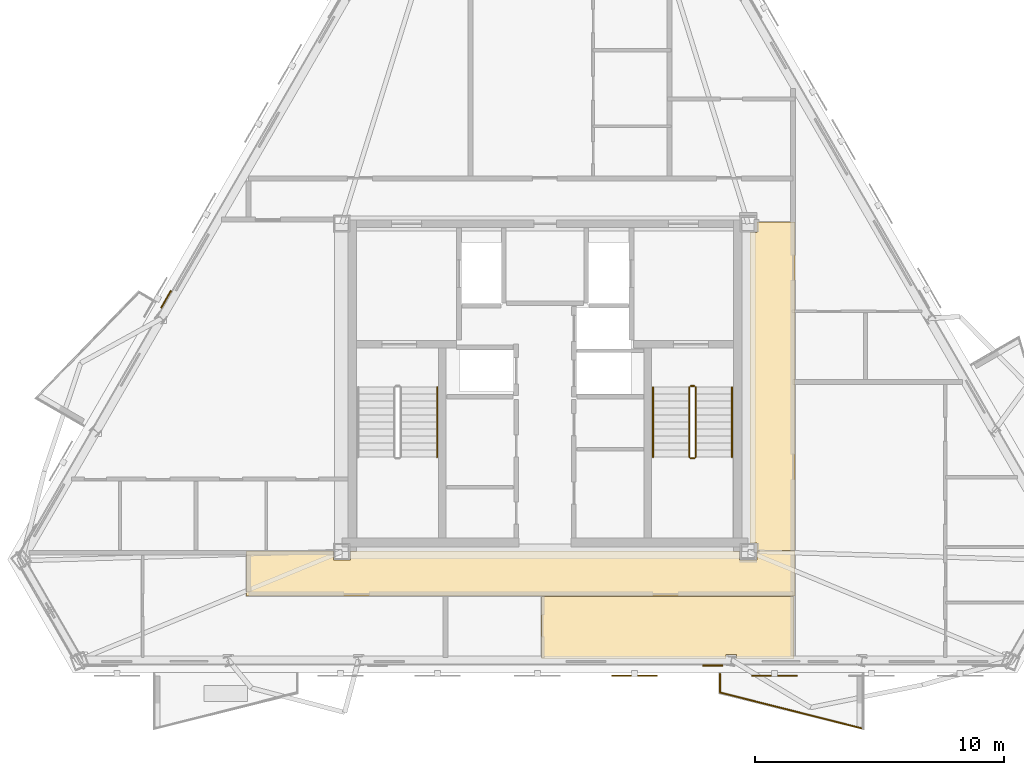
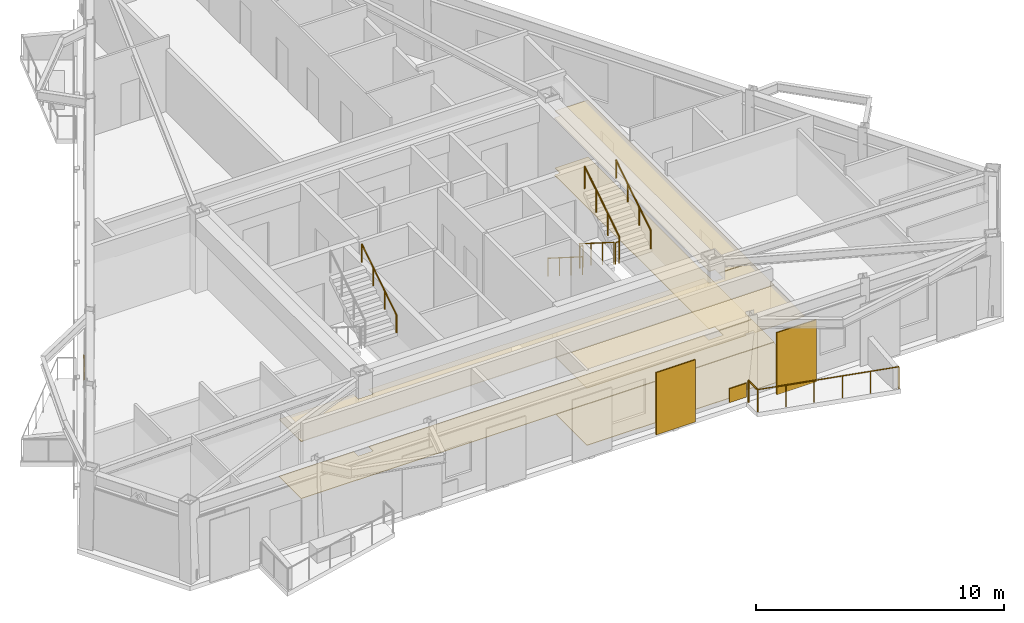
# One storey, part 8 of 9: 9 railings, 8 coverings, 2 shading devices.
"""IFC4 building model written with IfcOpenShell, lengths in metres."""

from ifc_helpers import new_model, si_unit, direction, frame, origin, origin_2d, place, context, subcontext, project, spatial, polyline, rectangle, circle, outline, extrude, material, layer, layer_set, type_object, element, save


model = new_model("IFC4")

# Units and contexts
model_context = context("Model", 3, precision=1e-05, world=origin(), true_north=direction((0.0, 1.0)))
body_context = subcontext(model_context, "Body", "Model", "MODEL_VIEW")
ifc_project = project(units=[si_unit("LENGTHUNIT", "METRE"), si_unit("AREAUNIT", "SQUARE_METRE"), si_unit("VOLUMEUNIT", "CUBIC_METRE"), si_unit("PLANEANGLEUNIT", "RADIAN"), si_unit("MASSUNIT", "GRAM", prefix="KILO")], contexts=[model_context])

# Site, building, storey
site_placement = place(None, origin())
site = spatial("IfcSite", under=ifc_project, at=site_placement, CompositionType="ELEMENT")
building_placement = place(site_placement, origin())
building = spatial("IfcBuilding", under=site, at=building_placement, Name="Oramaril Tower", CompositionType="ELEMENT")
storey_placement = place(building_placement, frame((0.0, 0.0, 273.300048828125)))
storey = spatial("IfcBuildingStorey", under=building, at=storey_placement, Name="L72", CompositionType="ELEMENT", Elevation=273.300048828125)

# Coverings
ifc_material_1 = material(Name="Mineral Fibre Acoustic Ceiling")
ifc_layer_1 = layer(ifc_material_1, 0.02001953125)
ifc_layer_set_1 = layer_set([ifc_layer_1], Name="CVT-CEIL")
covering_type_1 = type_object("IfcCoveringType", Name="CVT-CEIL", PredefinedType="CEILING", material=ifc_layer_set_1)
covering_1_placement = place(storey_placement, frame((0.0, 0.0, 2.81201171875)))
element("IfcCovering", 1, at=covering_1_placement, inside=storey, type_object=covering_type_1, Name="L72 Acoustic Suspended Ceiling 1", PredefinedType="CEILING", context=body_context, shape_type="SweptSolid", body=[
    extrude(outline(polyline([(29.0048828125, 10.655029296875), (29.695068359375, 10.655029296875), (29.695068359375, 11.030029296875), (45.304931640625, 11.030029296875), (45.304931640625, 10.655029296875), (45.9951171875, 10.655029296875), (45.9951171875, 11.030029296875), (47.530029296875, 11.030029296875), (47.530029296875, 9.219970703125), (25.52001953125, 9.219970703125), (25.52001953125, 11.030029296875), (29.0048828125, 11.030029296875), (29.0048828125, 10.655029296875)])), origin(), (0.0, 0.0, 1.0), 0.02001953125),
])
covering_2_placement = place(storey_placement, frame((0.0, 0.0, 2.81201171875)))
element("IfcCovering", 2, at=covering_2_placement, inside=storey, type_object=covering_type_1, Name="L72 Acoustic Suspended Ceiling 3", PredefinedType="CEILING", context=body_context, shape_type="SweptSolid", body=[
    extrude(outline(polyline([(47.530029296875, 11.050048828125), (45.9951171875, 11.050048828125), (45.9951171875, 11.344970703125), (45.719970703125, 11.344970703125), (45.719970703125, 23.804931640625), (45.9951171875, 23.804931640625), (45.9951171875, 24.219970703125), (47.530029296875, 24.219970703125), (47.530029296875, 11.050048828125)])), origin(), (0.0, 0.0, 1.0), 0.02001953125),
])
covering_3_placement = place(storey_placement, frame((0.0, 0.0, 2.81201171875)))
element("IfcCovering", 3, at=covering_3_placement, inside=storey, type_object=covering_type_1, Name="L72 Acoustic Suspended Ceiling 6", PredefinedType="CEILING", context=body_context, shape_type="SweptSolid", body=[
    extrude(outline(polyline([(45.184326171875, 6.859619140625), (44.76220703125, 6.859619140625), (44.76220703125, 6.7021484375), (37.364013671875, 6.7021484375), (37.364013671875, 9.199951171875), (47.491943359375, 9.199951171875), (47.491943359375, 6.7021484375), (45.184326171875, 6.7021484375), (45.184326171875, 6.859619140625)])), origin(), (0.0, 0.0, 1.0), 0.02001953125),
])
ifc_material_2 = material(Name="Warm Cream Limestone", Category="masonry")
ifc_layer_2 = layer(ifc_material_2, 0.050048828125)
ifc_layer_set_2 = layer_set([ifc_layer_2], Name="CVT-CLD")
covering_type_2 = type_object("IfcCoveringType", Name="CVT-CLD", PredefinedType="CLADDING", material=ifc_layer_set_2)
for number, where, z_axis, x_axis, name in (
    (4, (44.2216796875, 6.426025390625, 0.0400390625), (0.0, 0.0, 1.0), (1.0, 0.0, 0.0), "L72 Warm Cream Limestone Spandrel Cladding"),
    (5, (22.29736328125, 21.11572265625, 0.0400390625), (0.0, 0.0, 1.0), (-0.4999984885, -0.866026276448, 0.0), "L72 Warm Cream Limestone Spandrel Cladding"),
):
    element("IfcCovering", number, at=place(storey_placement, frame(where, z_axis=z_axis, x_axis=x_axis)), inside=storey, type_object=covering_type_2, Name=name, PredefinedType="CLADDING", context=body_context, shape_type="SweptSolid", body=[
        extrude(rectangle(XDim=0.800048828125, YDim=0.050048828125, at=origin_2d()), origin(), (0.0, 0.0, 1.0), 0.679931640625),
    ])
ifc_material_3 = material(Name="Honed Quartzite Stone Flooring", Category="masonry")
ifc_layer_3 = layer(ifc_material_3, 0.02490234375)
ifc_layer_set_3 = layer_set([ifc_layer_3], Name="CVT-FLR")
covering_type_3 = type_object("IfcCoveringType", Name="CVT-FLR", PredefinedType="FLOORING", material=ifc_layer_set_3)
covering_4_placement = place(storey_placement, origin())
element("IfcCovering", 6, at=covering_4_placement, inside=storey, type_object=covering_type_3, Name="L72 Honed Stone Floor Finish 1", PredefinedType="FLOORING", context=body_context, shape_type="SweptSolid", body=[
    extrude(outline(polyline([(29.0048828125, 10.655029296875), (29.695068359375, 10.655029296875), (29.695068359375, 11.030029296875), (45.304931640625, 11.030029296875), (45.304931640625, 10.655029296875), (45.9951171875, 10.655029296875), (45.9951171875, 11.030029296875), (47.530029296875, 11.030029296875), (47.530029296875, 9.219970703125), (25.52001953125, 9.219970703125), (25.52001953125, 11.030029296875), (29.0048828125, 11.030029296875), (29.0048828125, 10.655029296875)])), origin(), (0.0, 0.0, 1.0), 0.02490234375),
])
covering_5_placement = place(storey_placement, origin())
element("IfcCovering", 7, at=covering_5_placement, inside=storey, type_object=covering_type_3, Name="L72 Honed Stone Floor Finish 3", PredefinedType="FLOORING", context=body_context, shape_type="SweptSolid", body=[
    extrude(outline(polyline([(47.530029296875, 11.050048828125), (45.9951171875, 11.050048828125), (45.9951171875, 11.344970703125), (45.719970703125, 11.344970703125), (45.719970703125, 23.804931640625), (45.9951171875, 23.804931640625), (45.9951171875, 24.219970703125), (47.530029296875, 24.219970703125), (47.530029296875, 11.050048828125)])), origin(), (0.0, 0.0, 1.0), 0.02490234375),
])
covering_6_placement = place(storey_placement, origin())
element("IfcCovering", 8, at=covering_6_placement, inside=storey, type_object=covering_type_3, Name="L72 Honed Stone Floor Finish 6", PredefinedType="FLOORING", context=body_context, shape_type="SweptSolid", body=[
    extrude(outline(polyline([(45.184326171875, 6.859619140625), (44.76220703125, 6.859619140625), (44.76220703125, 6.7021484375), (37.364013671875, 6.7021484375), (37.364013671875, 9.199951171875), (47.491943359375, 9.199951171875), (47.491943359375, 6.7021484375), (45.184326171875, 6.7021484375), (45.184326171875, 6.859619140625)])), origin(), (0.0, 0.0, 1.0), 0.02490234375),
])

# Railings
ifc_material_4 = material(Name="Stainless Steel 316L", Category="steel")
railing_type_1 = type_object("IfcRailingType", Name="RLT-GRD", PredefinedType="GUARDRAIL", material=ifc_material_4)
railing_1_placement = place(storey_placement, frame((50.251953125, 3.89404296875, 0.0)))
element("IfcRailing", 9, at=railing_1_placement, inside=storey, type_object=railing_type_1, Name="L72 Balcony Guardrail L72-BAL-S2.2", PredefinedType="GUARDRAIL", context=body_context, shape_type="SweptSolid", body=[
    extrude(circle(Radius=0.02392578125, at=origin_2d()), frame((0.0, 0.0, 1.076171875), z_axis=(-0.969443611257, 0.245314256807, 0.0), x_axis=(-0.245314256807, -0.969443611257, 0.0)), (0.0, 0.0, 1.0), 5.91064453125),
    extrude(circle(Radius=0.02099609375, at=origin_2d()), origin(), (0.0, 0.0, 1.0), 1.052001953125),
    extrude(circle(Radius=0.02099609375, at=origin_2d()), frame((-1.14599609375, 0.2900390625, 0.0)), (0.0, 0.0, 1.0), 1.052001953125),
    extrude(circle(Radius=0.02099609375, at=origin_2d()), frame((-2.2919921875, 0.580078125, 0.0)), (0.0, 0.0, 1.0), 1.052001953125),
    extrude(circle(Radius=0.02099609375, at=origin_2d()), frame((-3.43798828125, 0.869873046875, 0.0)), (0.0, 0.0, 1.0), 1.052001953125),
    extrude(circle(Radius=0.02099609375, at=origin_2d()), frame((-4.583984375, 1.159912109375, 0.0)), (0.0, 0.0, 1.0), 1.052001953125),
    extrude(circle(Radius=0.02099609375, at=origin_2d()), frame((-5.72998046875, 1.449951171875, 0.0)), (0.0, 0.0, 1.0), 1.052001953125),
])
railing_2_placement = place(storey_placement, frame((44.52197265625, 5.343994140625, 0.0)))
element("IfcRailing", 10, at=railing_2_placement, inside=storey, type_object=railing_type_1, Name="L72 Balcony Guardrail L72-BAL-S2.3", PredefinedType="GUARDRAIL", context=body_context, shape_type="SweptSolid", body=[
    extrude(circle(Radius=0.02392578125, at=origin_2d()), frame((0.0, 0.0, 1.076171875), z_axis=(0.0, 1.0, 0.0), x_axis=(-1.0, 0.0, 0.0)), (0.0, 0.0, 1.0), 0.7421875),
    extrude(circle(Radius=0.02099609375, at=origin_2d()), origin(), (0.0, 0.0, 1.0), 1.052001953125),
    extrude(circle(Radius=0.02099609375, at=origin_2d()), frame((0.0, 0.7421875, 0.0)), (0.0, 0.0, 1.0), 1.052001953125),
])
railing_3_placement = place(storey_placement, frame((43.2900390625, 17.590087890625, 0.17724609375)))
element("IfcRailing", 11, at=railing_3_placement, inside=storey, type_object=railing_type_1, Name="L72 ST-2 stair guard 1", PredefinedType="GUARDRAIL", context=body_context, shape_type="SweptSolid", body=[
    extrude(circle(Radius=0.02392578125, at=origin_2d()), frame((0.0, 0.0, 1.076171875), z_axis=(0.0, -0.844908973607, 0.534910110503), x_axis=(1.0, 0.0, 0.0)), (0.0, 0.0, 1.0), 3.31396484375),
    extrude(circle(Radius=0.02099609375, at=origin_2d()), origin(), (0.0, 0.0, 1.0), 1.052001953125),
    extrude(circle(Radius=0.02099609375, at=origin_2d()), frame((0.0, -0.933349609375, 0.5908203125)), (0.0, 0.0, 1.0), 1.052001953125),
    extrude(circle(Radius=0.02099609375, at=origin_2d()), frame((0.0, -1.86669921875, 1.181884765625)), (0.0, 0.0, 1.0), 1.052001953125),
    extrude(circle(Radius=0.02099609375, at=origin_2d()), frame((0.0, -2.800048828125, 1.772705078125)), (0.0, 0.0, 1.0), 1.052001953125),
])
railing_4_placement = place(storey_placement, frame((43.340087890625, 14.739990234375, 1.949951171875)))
element("IfcRailing", 12, at=railing_4_placement, inside=storey, type_object=railing_type_1, Name="L72 ST-2 stair guard 2", PredefinedType="GUARDRAIL", context=body_context, shape_type="SweptSolid", body=[
    extrude(circle(Radius=0.02392578125, at=origin_2d()), frame((0.0, 0.0, 1.076171875), z_axis=(1.0, 0.0, 0.0), x_axis=(0.0, 1.0, 0.0)), (0.0, 0.0, 1.0), 0.14990234375),
    extrude(circle(Radius=0.02099609375, at=origin_2d()), origin(), (0.0, 0.0, 1.0), 1.052001953125),
    extrude(circle(Radius=0.02099609375, at=origin_2d()), frame((0.14990234375, 0.0, 0.0)), (0.0, 0.0, 1.0), 1.052001953125),
])
railing_5_placement = place(storey_placement, frame((43.5400390625, 14.7900390625, 2.127197265625)))
element("IfcRailing", 13, at=railing_5_placement, inside=storey, type_object=railing_type_1, Name="L72 ST-2 stair guard 3", PredefinedType="GUARDRAIL", context=body_context, shape_type="SweptSolid", body=[
    extrude(circle(Radius=0.02392578125, at=origin_2d()), frame((0.0, 0.0, 1.076171875), z_axis=(0.0, 0.844908973607, 0.534910110503), x_axis=(-1.0, 0.0, 0.0)), (0.0, 0.0, 1.0), 3.31396484375),
    extrude(circle(Radius=0.02099609375, at=origin_2d()), origin(), (0.0, 0.0, 1.0), 1.052001953125),
    extrude(circle(Radius=0.02099609375, at=origin_2d()), frame((0.0, 0.933349609375, 0.5908203125)), (0.0, 0.0, 1.0), 1.052001953125),
    extrude(circle(Radius=0.02099609375, at=origin_2d()), frame((0.0, 1.86669921875, 1.181884765625)), (0.0, 0.0, 1.0), 1.052001953125),
    extrude(circle(Radius=0.02099609375, at=origin_2d()), frame((0.0, 2.800048828125, 1.772705078125)), (0.0, 0.0, 1.0), 1.052001953125),
])
railing_6_placement = place(storey_placement, frame((43.340087890625, 17.639892578125, 0.0)))
element("IfcRailing", 14, at=railing_6_placement, inside=storey, type_object=railing_type_1, Name="L72 ST-2 stair guard 4", PredefinedType="GUARDRAIL", context=body_context, shape_type="SweptSolid", body=[
    extrude(circle(Radius=0.02392578125, at=origin_2d()), frame((0.0, 0.0, 1.076171875), z_axis=(1.0, 0.0, 0.0), x_axis=(0.0, 1.0, 0.0)), (0.0, 0.0, 1.0), 0.14990234375),
    extrude(circle(Radius=0.02099609375, at=origin_2d()), origin(), (0.0, 0.0, 1.0), 1.052001953125),
    extrude(circle(Radius=0.02099609375, at=origin_2d()), frame((0.14990234375, 0.0, 0.0)), (0.0, 0.0, 1.0), 1.052001953125),
])
ifc_material_5 = material(Name="Stainless Steel 316L", Category="steel")
railing_type_2 = type_object("IfcRailingType", Name="RLT-HND", PredefinedType="HANDRAIL", material=ifc_material_5)
railing_7_placement = place(storey_placement, frame((33.169921875, 14.7900390625, 2.127197265625)))
element("IfcRailing", 15, at=railing_7_placement, inside=storey, type_object=railing_type_2, Name="L72 ST-1 stair handrail 2", PredefinedType="HANDRAIL", context=body_context, shape_type="SweptSolid", body=[
    extrude(circle(Radius=0.02392578125, at=origin_2d()), frame((0.0, 0.0, 0.8759765625), z_axis=(0.0, 0.844908973607, 0.534910110503), x_axis=(-1.0, 0.0, 0.0)), (0.0, 0.0, 1.0), 3.31396484375),
    extrude(circle(Radius=0.02099609375, at=origin_2d()), origin(), (0.0, 0.0, 1.0), 0.851806640625),
    extrude(circle(Radius=0.02099609375, at=origin_2d()), frame((0.0, 0.933349609375, 0.5908203125)), (0.0, 0.0, 1.0), 0.851806640625),
    extrude(circle(Radius=0.02099609375, at=origin_2d()), frame((0.0, 1.86669921875, 1.181884765625)), (0.0, 0.0, 1.0), 0.851806640625),
    extrude(circle(Radius=0.02099609375, at=origin_2d()), frame((0.0, 2.800048828125, 1.772705078125)), (0.0, 0.0, 1.0), 0.851806640625),
])
railing_8_placement = place(storey_placement, frame((41.830078125, 17.590087890625, 0.17724609375)))
element("IfcRailing", 16, at=railing_8_placement, inside=storey, type_object=railing_type_2, Name="L72 ST-2 stair handrail 1", PredefinedType="HANDRAIL", context=body_context, shape_type="SweptSolid", body=[
    extrude(circle(Radius=0.02392578125, at=origin_2d()), frame((0.0, 0.0, 0.8759765625), z_axis=(0.0, -0.844908973607, 0.534910110503), x_axis=(1.0, 0.0, 0.0)), (0.0, 0.0, 1.0), 3.31396484375),
    extrude(circle(Radius=0.02099609375, at=origin_2d()), origin(), (0.0, 0.0, 1.0), 0.851806640625),
    extrude(circle(Radius=0.02099609375, at=origin_2d()), frame((0.0, -0.933349609375, 0.5908203125)), (0.0, 0.0, 1.0), 0.851806640625),
    extrude(circle(Radius=0.02099609375, at=origin_2d()), frame((0.0, -1.86669921875, 1.181884765625)), (0.0, 0.0, 1.0), 0.851806640625),
    extrude(circle(Radius=0.02099609375, at=origin_2d()), frame((0.0, -2.800048828125, 1.772705078125)), (0.0, 0.0, 1.0), 0.851806640625),
])
railing_9_placement = place(storey_placement, frame((45.0, 14.7900390625, 2.127197265625)))
element("IfcRailing", 17, at=railing_9_placement, inside=storey, type_object=railing_type_2, Name="L72 ST-2 stair handrail 2", PredefinedType="HANDRAIL", context=body_context, shape_type="SweptSolid", body=[
    extrude(circle(Radius=0.02392578125, at=origin_2d()), frame((0.0, 0.0, 0.8759765625), z_axis=(0.0, 0.844908973607, 0.534910110503), x_axis=(-1.0, 0.0, 0.0)), (0.0, 0.0, 1.0), 3.31396484375),
    extrude(circle(Radius=0.02099609375, at=origin_2d()), origin(), (0.0, 0.0, 1.0), 0.851806640625),
    extrude(circle(Radius=0.02099609375, at=origin_2d()), frame((0.0, 0.933349609375, 0.5908203125)), (0.0, 0.0, 1.0), 0.851806640625),
    extrude(circle(Radius=0.02099609375, at=origin_2d()), frame((0.0, 1.86669921875, 1.181884765625)), (0.0, 0.0, 1.0), 0.851806640625),
    extrude(circle(Radius=0.02099609375, at=origin_2d()), frame((0.0, 2.800048828125, 1.772705078125)), (0.0, 0.0, 1.0), 0.851806640625),
])

# Shading devices
for number, where, z_axis, x_axis, name in (
    (18, (41.0908203125, 6.01416015625, -0.02001953125), (0.0, 0.0, 1.0), (1.0, 0.0, 0.0), "L72 Perforated Ceramic Solar Screen"),
    (19, (46.7021484375, 6.01416015625, -0.02001953125), (0.0, 0.0, 1.0), (1.0, 0.0, 0.0), "L72 Perforated Ceramic Solar Screen"),
):
    element("IfcShadingDevice", number, at=place(storey_placement, frame(where, z_axis=z_axis, x_axis=x_axis)), inside=storey, Name=name, ObjectType="SCREEN", PredefinedType="USERDEFINED", context=body_context, shape_type="SweptSolid", body=[
        extrude(rectangle(XDim=1.8330078125, YDim=0.050048828125, at=origin_2d()), origin(), (0.0, 0.0, 1.0), 3.05810546875),
    ])

save(model, "model.ifc")
